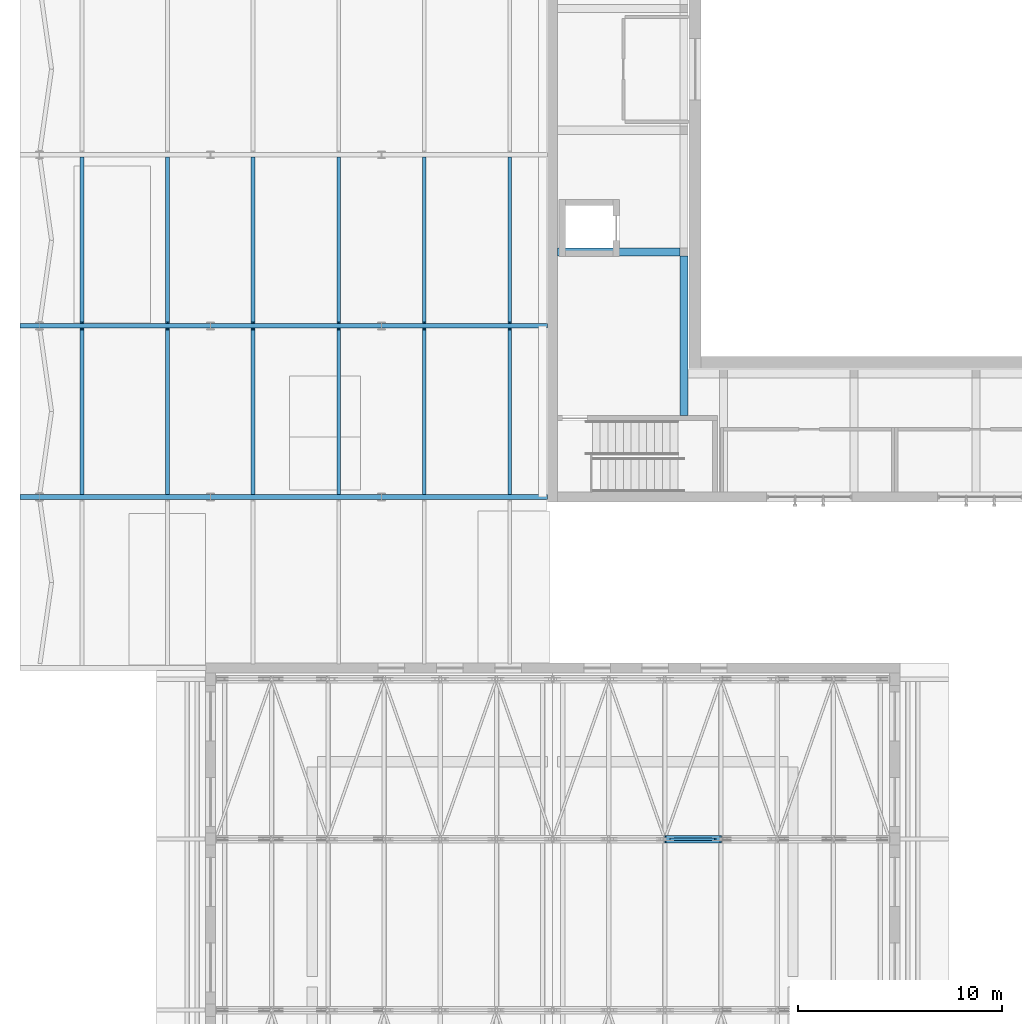
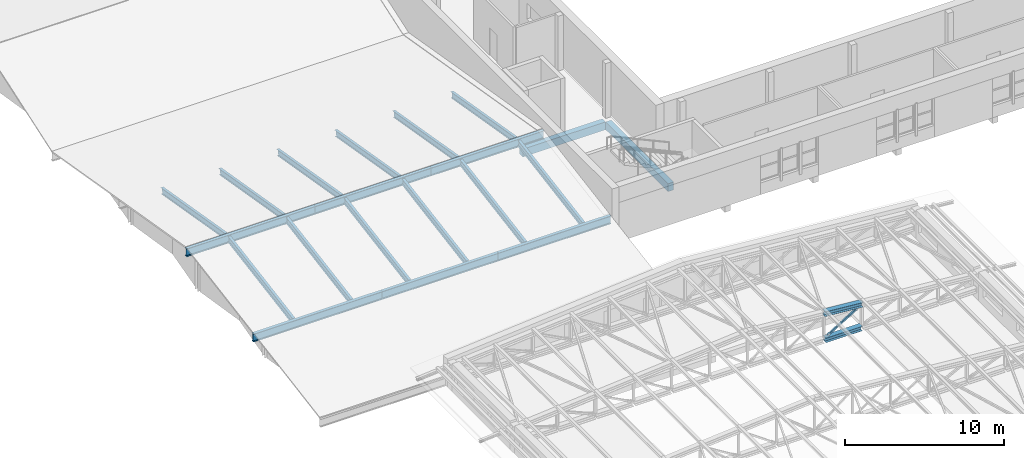
# One storey, part 20 of 60: 20 beams, 3 members.
"""IFC4 building model written with IfcOpenShell, lengths in metres."""

from ifc_helpers import new_model, si_unit, direction, frame, origin, origin_2d, place, context, subcontext, project, spatial, rectangle, hollow_rectangle, i_section, extrude, material, material_profile, profile_set, type_object, element, save


model = new_model("IFC4")

# Units and contexts
model_context = context("Model", 3, precision=1e-05, world=origin(), true_north=direction((0.0, 1.0)))
body_context = subcontext(model_context, "Body", "Model", "MODEL_VIEW")
ifc_project = project(units=[si_unit("LENGTHUNIT", "METRE"), si_unit("AREAUNIT", "SQUARE_METRE"), si_unit("VOLUMEUNIT", "CUBIC_METRE"), si_unit("PLANEANGLEUNIT", "RADIAN"), si_unit("MASSUNIT", "GRAM", prefix="KILO")], contexts=[model_context])

# Site, building, storey
site_placement = place(None, origin())
site = spatial("IfcSite", under=ifc_project, at=site_placement, CompositionType="ELEMENT")
building_placement = place(site_placement, origin())
building = spatial("IfcBuilding", under=site, at=building_placement, Name="Ljudholm Concert House", CompositionType="ELEMENT")
storey_placement = place(building_placement, frame((0.0, 0.0, 15.0)))
storey = spatial("IfcBuildingStorey", under=building, at=storey_placement, Name="L03", CompositionType="ELEMENT", Elevation=15.0)

# Beams
ifc_material_1 = material(Name="Concrete 6,500 psi", Category="concrete")
ifc_material_profile_1 = material_profile(ifc_material_1, rectangle(XDim=0.39990234375, YDim=0.60009765625, at=origin_2d()), Name="RC BEAM 400x600")
ifc_profile_set_1 = profile_set([ifc_material_profile_1], Name="Concrete 6,500 psi")
beam_type_1 = type_object("IfcBeamType", Name="RC BEAM 400x600", PredefinedType="BEAM", material=ifc_profile_set_1)
beam_1_placement = place(storey_placement, frame((35.449951171875, 66.429931640625, -0.550048828125), z_axis=(-1.0, 0.0, 0.0), x_axis=(0.0, -1.0, 0.0)))
element("IfcBeam", 1, at=beam_1_placement, inside=storey, type_object=beam_type_1, Name="Ring cross beam", PredefinedType="BEAM", context=body_context, shape_type="SweptSolid", body=[
    extrude(rectangle(XDim=0.39990234375, YDim=0.60009765625, at=origin_2d()), origin(), (0.0, 0.0, 1.0), 6.0),
])
beam_2_placement = place(storey_placement, frame((35.64990234375, 58.39990234375, -0.550048828125), z_axis=(0.0, 1.0, 0.0), x_axis=(-1.0, 0.0, 0.0)))
element("IfcBeam", 2, at=beam_2_placement, inside=storey, type_object=beam_type_1, Name="Ring beam", PredefinedType="BEAM", context=body_context, shape_type="SweptSolid", body=[
    extrude(rectangle(XDim=0.39990234375, YDim=0.60009765625, at=origin_2d()), origin(), (0.0, 0.0, 1.0), 7.830078125),
])
ifc_material_2 = material(Name="Steel ASTM A992", Category="steel")
ifc_material_profile_2 = material_profile(ifc_material_2, i_section(OverallWidth=0.1904296875, OverallDepth=0.457275390625, WebThickness=0.009033203125, FlangeThickness=0.014404296875, FilletRadius=0.01025390625, at=origin_2d()), Name="W18X50")
ifc_profile_set_2 = profile_set([ifc_material_profile_2], Name="Steel ASTM A992")
beam_type_2 = type_object("IfcBeamType", Name="STEEL BEAM W18X50", PredefinedType="BEAM", material=ifc_profile_set_2)
for number, where, z_axis, x_axis, name in (
    (3, (6.10009765625, 54.552734375, 1.858642578125), (0.0, 0.985739432849, 0.168278847532), (-1.0, 0.0, 0.0), "Roof rafter"),
    (4, (10.300048828125, 54.552734375, 1.858642578125), (0.0, 0.985739432849, 0.168278847532), (-1.0, 0.0, 0.0), "Roof rafter"),
    (5, (14.5, 54.552734375, 1.858642578125), (0.0, 0.985739432849, 0.168278847532), (-1.0, 0.0, 0.0), "Roof rafter"),
    (6, (18.699951171875, 54.552734375, 1.858642578125), (0.0, 0.985739432849, 0.168278847532), (-1.0, 0.0, 0.0), "Roof rafter"),
    (7, (22.89990234375, 54.552734375, 1.858642578125), (0.0, 0.985739432849, 0.168278847532), (-1.0, 0.0, 0.0), "Roof rafter"),
    (8, (27.10009765625, 54.552734375, 1.858642578125), (0.0, 0.985739432849, 0.168278847532), (-1.0, 0.0, 0.0), "Roof rafter"),
):
    element("IfcBeam", number, at=place(storey_placement, frame(where, z_axis=z_axis, x_axis=x_axis)), inside=storey, type_object=beam_type_2, Name=name, PredefinedType="BEAM", context=body_context, shape_type="SweptSolid", body=[
        extrude(i_section(OverallWidth=0.1904296875, OverallDepth=0.457275390625, WebThickness=0.009033203125, FlangeThickness=0.014404296875, FilletRadius=0.01025390625, at=origin_2d()), origin(), (0.0, 0.0, 1.0), 8.211669921875),
    ])
for number, where, z_axis, x_axis, name in (
    (9, (6.10009765625, 62.95263671875, 3.240478515625), (0.0, 0.985740274734, -0.168273915882), (-1.0, 0.0, 0.0), "Roof rafter"),
    (10, (10.300048828125, 62.95263671875, 3.240478515625), (0.0, 0.985740274734, -0.168273915882), (-1.0, 0.0, 0.0), "Roof rafter"),
    (11, (14.5, 62.95263671875, 3.240478515625), (0.0, 0.985740274734, -0.168273915882), (-1.0, 0.0, 0.0), "Roof rafter"),
    (12, (18.699951171875, 62.95263671875, 3.240478515625), (0.0, 0.985740274734, -0.168273915882), (-1.0, 0.0, 0.0), "Roof rafter"),
    (13, (22.89990234375, 62.95263671875, 3.240478515625), (0.0, 0.985740274734, -0.168273915882), (-1.0, 0.0, 0.0), "Roof rafter"),
    (14, (27.10009765625, 62.95263671875, 3.240478515625), (0.0, 0.985740274734, -0.168273915882), (-1.0, 0.0, 0.0), "Roof rafter"),
):
    element("IfcBeam", number, at=place(storey_placement, frame(where, z_axis=z_axis, x_axis=x_axis)), inside=storey, type_object=beam_type_2, Name=name, PredefinedType="BEAM", context=body_context, shape_type="SweptSolid", body=[
        extrude(i_section(OverallWidth=0.1904296875, OverallDepth=0.457275390625, WebThickness=0.009033203125, FlangeThickness=0.014404296875, FilletRadius=0.01025390625, at=origin_2d()), origin(), (0.0, 0.0, 1.0), 8.2119140625),
    ])
ifc_material_3 = material(Name="Steel ASTM A992", Category="steel")
ifc_material_profile_3 = material_profile(ifc_material_3, i_section(OverallWidth=0.22900390625, OverallDepth=0.612060546875, WebThickness=0.011962890625, FlangeThickness=0.01953125, FilletRadius=0.0126953125, at=origin_2d()), Name="W24X84")
ifc_profile_set_3 = profile_set([ifc_material_profile_3], Name="Steel ASTM A992")
beam_type_3 = type_object("IfcBeamType", Name="STEEL BEAM W24X84", PredefinedType="BEAM", material=ifc_profile_set_3)
beam_3_placement = place(storey_placement, frame((3.050048828125, 54.39990234375, 1.758544921875), z_axis=(1.0, 0.0, 0.0), x_axis=(0.0, 1.0, 0.0)))
element("IfcBeam", 15, at=beam_3_placement, inside=storey, type_object=beam_type_3, Name="Roof girder", PredefinedType="BEAM", context=body_context, shape_type="SweptSolid", body=[
    extrude(i_section(OverallWidth=0.22900390625, OverallDepth=0.612060546875, WebThickness=0.011962890625, FlangeThickness=0.01953125, FilletRadius=0.0126953125, at=origin_2d()), origin(), (0.0, 0.0, 1.0), 9.349853515625),
])
beam_4_placement = place(storey_placement, frame((12.39990234375, 54.39990234375, 1.758544921875), z_axis=(1.0, 0.0, 0.0), x_axis=(0.0, 1.0, 0.0)))
element("IfcBeam", 16, at=beam_4_placement, inside=storey, type_object=beam_type_3, Name="Roof girder", PredefinedType="BEAM", context=body_context, shape_type="SweptSolid", body=[
    extrude(i_section(OverallWidth=0.22900390625, OverallDepth=0.612060546875, WebThickness=0.011962890625, FlangeThickness=0.01953125, FilletRadius=0.0126953125, at=origin_2d()), origin(), (0.0, 0.0, 1.0), 8.400146484375),
])
beam_5_placement = place(storey_placement, frame((20.800048828125, 54.39990234375, 1.758544921875), z_axis=(1.0, 0.0, 0.0), x_axis=(0.0, 1.0, 0.0)))
element("IfcBeam", 17, at=beam_5_placement, inside=storey, type_object=beam_type_3, Name="Roof girder", PredefinedType="BEAM", context=body_context, shape_type="SweptSolid", body=[
    extrude(i_section(OverallWidth=0.22900390625, OverallDepth=0.612060546875, WebThickness=0.011962890625, FlangeThickness=0.01953125, FilletRadius=0.0126953125, at=origin_2d()), origin(), (0.0, 0.0, 1.0), 8.14990234375),
])
beam_6_placement = place(storey_placement, frame((3.050048828125, 62.800048828125, 3.1923828125), z_axis=(1.0, 0.0, 0.0), x_axis=(0.0, 1.0, 0.0)))
element("IfcBeam", 18, at=beam_6_placement, inside=storey, type_object=beam_type_3, Name="Roof girder", PredefinedType="BEAM", context=body_context, shape_type="SweptSolid", body=[
    extrude(i_section(OverallWidth=0.22900390625, OverallDepth=0.612060546875, WebThickness=0.011962890625, FlangeThickness=0.01953125, FilletRadius=0.0126953125, at=origin_2d()), origin(), (0.0, 0.0, 1.0), 9.349853515625),
])
beam_7_placement = place(storey_placement, frame((12.39990234375, 62.800048828125, 3.1923828125), z_axis=(1.0, 0.0, 0.0), x_axis=(0.0, 1.0, 0.0)))
element("IfcBeam", 19, at=beam_7_placement, inside=storey, type_object=beam_type_3, Name="Roof girder", PredefinedType="BEAM", context=body_context, shape_type="SweptSolid", body=[
    extrude(i_section(OverallWidth=0.22900390625, OverallDepth=0.612060546875, WebThickness=0.011962890625, FlangeThickness=0.01953125, FilletRadius=0.0126953125, at=origin_2d()), origin(), (0.0, 0.0, 1.0), 8.400146484375),
])
beam_8_placement = place(storey_placement, frame((20.800048828125, 62.800048828125, 3.1923828125), z_axis=(1.0, 0.0, 0.0), x_axis=(0.0, 1.0, 0.0)))
element("IfcBeam", 20, at=beam_8_placement, inside=storey, type_object=beam_type_3, Name="Roof girder", PredefinedType="BEAM", context=body_context, shape_type="SweptSolid", body=[
    extrude(i_section(OverallWidth=0.22900390625, OverallDepth=0.612060546875, WebThickness=0.011962890625, FlangeThickness=0.01953125, FilletRadius=0.0126953125, at=origin_2d()), origin(), (0.0, 0.0, 1.0), 8.14990234375),
])

# Members
ifc_material_4 = material(Name="Steel ASTM A500 Gr. C", Category="steel")
ifc_material_profile_4 = material_profile(ifc_material_4, hollow_rectangle(XDim=0.126953125, YDim=0.126953125, WallThickness=0.00732421875, InnerFilletRadius=0.003662109375, OuterFilletRadius=0.010986328125, at=origin_2d()), Name="HSS5X5X5/16")
ifc_profile_set_4 = profile_set([ifc_material_profile_4], Name="Steel ASTM A500 Gr. C")
member_type_1 = type_object("IfcMemberType", Name="STEEL MEMBER HSS5X5X5/16 BRACE", PredefinedType="BRACE", material=ifc_profile_set_4)
member_1_placement = place(storey_placement, frame((35.001220703125, 37.60009765625, 0.931884765625), z_axis=(0.850774291755, 0.0, 0.525531259288), x_axis=(0.0, 1.0, 0.0)))
element("IfcMember", 21, at=member_1_placement, inside=storey, type_object=member_type_1, Name="Roof truss T5 diagonal", PredefinedType="BRACE", context=body_context, shape_type="SweptSolid", body=[
    extrude(hollow_rectangle(XDim=0.126953125, YDim=0.126953125, WallThickness=0.00732421875, InnerFilletRadius=0.003662109375, OuterFilletRadius=0.010986328125, at=origin_2d()), origin(), (0.0, 0.0, 1.0), 2.5732421875),
])
ifc_material_5 = material(Name="Steel ASTM A992", Category="steel")
ifc_material_profile_5 = material_profile(ifc_material_5, i_section(OverallWidth=0.368408203125, OverallDepth=0.355712890625, WebThickness=0.01123046875, FlangeThickness=0.01806640625, FilletRadius=0.01513671875, at=origin_2d()), Name="W14X90")
ifc_profile_set_5 = profile_set([ifc_material_profile_5], Name="Steel ASTM A992")
member_type_2 = type_object("IfcMemberType", Name="STEEL MEMBER W14X90 CHORD", PredefinedType="CHORD", material=ifc_profile_set_5)
member_2_placement = place(storey_placement, frame((34.716552734375, 37.60009765625, 2.7333984375), z_axis=(0.996439740606, 0.0, -0.084308026553), x_axis=(0.0, 1.0, 0.0)))
element("IfcMember", 22, at=member_2_placement, inside=storey, type_object=member_type_2, Name="Roof truss T5 top chord", PredefinedType="CHORD", context=body_context, shape_type="SweptSolid", body=[
    extrude(i_section(OverallWidth=0.368408203125, OverallDepth=0.355712890625, WebThickness=0.01123046875, FlangeThickness=0.01806640625, FilletRadius=0.01513671875, at=origin_2d()), origin(), (0.0, 0.0, 1.0), 2.768310546875),
])
member_3_placement = place(storey_placement, frame((34.778564453125, 37.60009765625, 0.699951171875), z_axis=(1.0, 0.0, 0.0), x_axis=(0.0, 1.0, 0.0)))
element("IfcMember", 23, at=member_3_placement, inside=storey, type_object=member_type_2, Name="Roof truss T5 bottom chord", PredefinedType="CHORD", context=body_context, shape_type="SweptSolid", body=[
    extrude(i_section(OverallWidth=0.368408203125, OverallDepth=0.355712890625, WebThickness=0.01123046875, FlangeThickness=0.01806640625, FilletRadius=0.01513671875, at=origin_2d()), origin(), (0.0, 0.0, 1.0), 2.634521484375),
])

save(model, "model.ifc")
